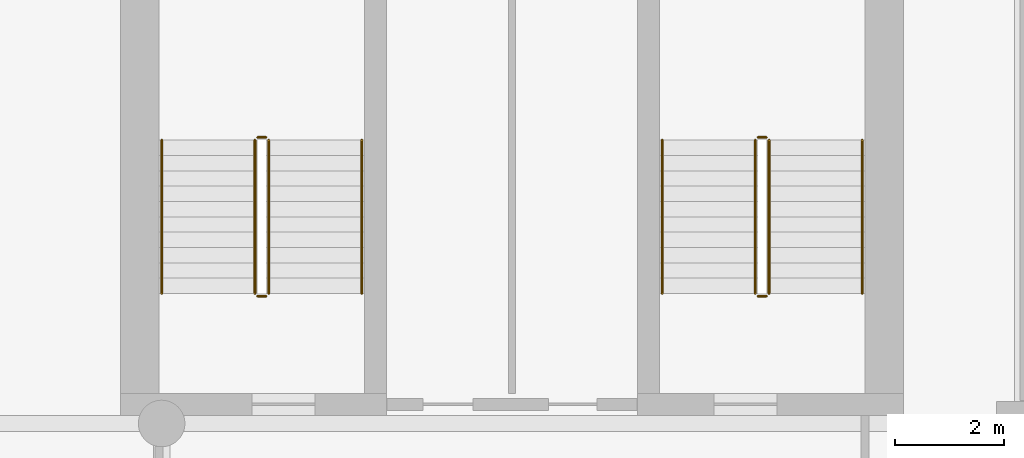
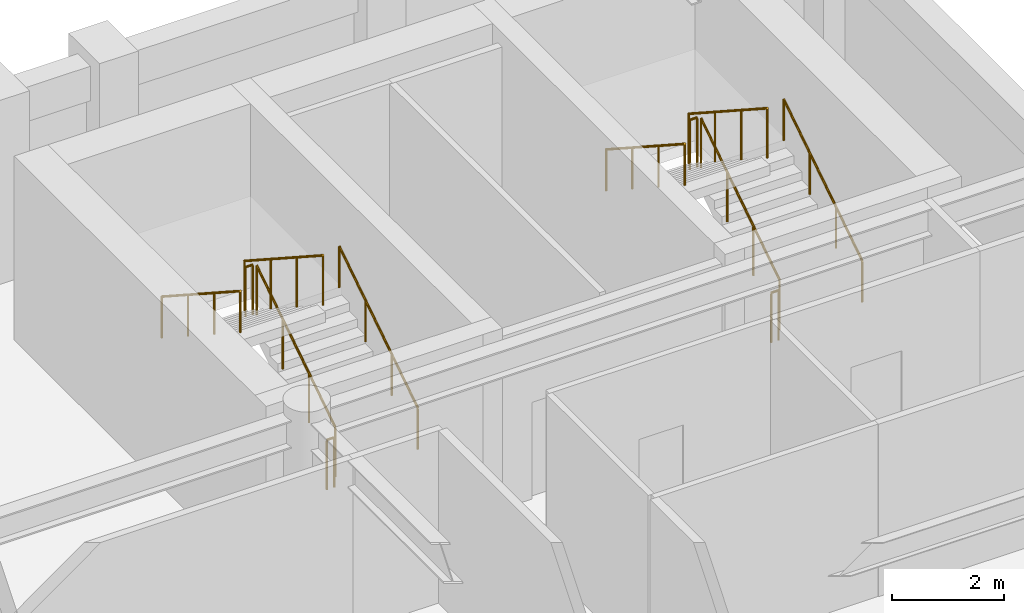
# One storey, part 10 of 10: 12 railings.
"""IFC4 building model written with IfcOpenShell, lengths in metres."""

from ifc_helpers import new_model, si_unit, direction, frame, origin, origin_2d, place, context, subcontext, project, spatial, circle, extrude, material, type_object, element, save


model = new_model("IFC4")

# Units and contexts
model_context = context("Model", 3, precision=1e-05, world=origin(), true_north=direction((0.0, 1.0)))
body_context = subcontext(model_context, "Body", "Model", "MODEL_VIEW")
ifc_project = project(units=[si_unit("LENGTHUNIT", "METRE"), si_unit("AREAUNIT", "SQUARE_METRE"), si_unit("VOLUMEUNIT", "CUBIC_METRE"), si_unit("PLANEANGLEUNIT", "RADIAN"), si_unit("MASSUNIT", "GRAM", prefix="KILO")], contexts=[model_context])

# Site, building, storey
site_placement = place(None, origin())
site = spatial("IfcSite", under=ifc_project, at=site_placement, CompositionType="ELEMENT")
building_placement = place(site_placement, origin())
building = spatial("IfcBuilding", under=site, at=building_placement, Name="Sulina Concourse Tower", CompositionType="ELEMENT")
storey_placement = place(building_placement, frame((0.0, 0.0, 190.60009765625)))
storey = spatial("IfcBuildingStorey", under=building, at=storey_placement, Name="L46", CompositionType="ELEMENT", Elevation=190.60009765625)

# Railings
ifc_material_1 = material(Name="Galvanised steel railing", Category="steel")
railing_type_1 = type_object("IfcRailingType", Name="Core Stair Steel Guardrail 1150mm", PredefinedType="GUARDRAIL", material=ifc_material_1)
railing_1_placement = place(storey_placement, frame((43.554931640625, 36.375, 0.181640625)))
element("IfcRailing", 1, at=railing_1_placement, inside=storey, type_object=railing_type_1, Name="L46 ST-3 stair guard 1", PredefinedType="GUARDRAIL", context=body_context, shape_type="SweptSolid", body=[
    extrude(circle(Radius=0.02392578125, at=origin_2d()), frame((0.0, 0.0, 1.076171875), z_axis=(0.0, 0.838672427954, 0.544636170843), x_axis=(-1.0, 0.0, 0.0)), (0.0, 0.0, 1.0), 3.338623046875),
    extrude(circle(Radius=0.02099609375, at=origin_2d()), origin(), (0.0, 0.0, 1.0), 1.052001953125),
    extrude(circle(Radius=0.02099609375, at=origin_2d()), frame((0.0, 0.933349609375, 0.606201171875)), (0.0, 0.0, 1.0), 1.052001953125),
    extrude(circle(Radius=0.02099609375, at=origin_2d()), frame((0.0, 1.86669921875, 1.212158203125)), (0.0, 0.0, 1.0), 1.052001953125),
    extrude(circle(Radius=0.02099609375, at=origin_2d()), frame((0.0, 2.800048828125, 1.818359375)), (0.0, 0.0, 1.0), 1.052001953125),
])
railing_2_placement = place(storey_placement, frame((43.5048828125, 39.22509765625, 2.0)))
element("IfcRailing", 2, at=railing_2_placement, inside=storey, type_object=railing_type_1, Name="L46 ST-3 stair guard 2", PredefinedType="GUARDRAIL", context=body_context, shape_type="SweptSolid", body=[
    extrude(circle(Radius=0.02392578125, at=origin_2d()), frame((0.0, 0.0, 1.076171875), z_axis=(-1.0, 0.0, 0.0), x_axis=(0.0, -1.0, 0.0)), (0.0, 0.0, 1.0), 0.14990234375),
    extrude(circle(Radius=0.02099609375, at=origin_2d()), origin(), (0.0, 0.0, 1.0), 1.052001953125),
    extrude(circle(Radius=0.02099609375, at=origin_2d()), frame((-0.14990234375, 0.0, 0.0)), (0.0, 0.0, 1.0), 1.052001953125),
])
railing_3_placement = place(storey_placement, frame((43.304931640625, 39.175048828125, 2.181640625)))
element("IfcRailing", 3, at=railing_3_placement, inside=storey, type_object=railing_type_1, Name="L46 ST-3 stair guard 3", PredefinedType="GUARDRAIL", context=body_context, shape_type="SweptSolid", body=[
    extrude(circle(Radius=0.02392578125, at=origin_2d()), frame((0.0, 0.0, 1.076171875), z_axis=(0.0, -0.838672427954, 0.544636170843), x_axis=(1.0, 0.0, 0.0)), (0.0, 0.0, 1.0), 3.338623046875),
    extrude(circle(Radius=0.02099609375, at=origin_2d()), origin(), (0.0, 0.0, 1.0), 1.052001953125),
    extrude(circle(Radius=0.02099609375, at=origin_2d()), frame((0.0, -0.933349609375, 0.606201171875)), (0.0, 0.0, 1.0), 1.052001953125),
    extrude(circle(Radius=0.02099609375, at=origin_2d()), frame((0.0, -1.86669921875, 1.212158203125)), (0.0, 0.0, 1.0), 1.052001953125),
    extrude(circle(Radius=0.02099609375, at=origin_2d()), frame((0.0, -2.800048828125, 1.818359375)), (0.0, 0.0, 1.0), 1.052001953125),
])
railing_4_placement = place(storey_placement, frame((43.5048828125, 36.324951171875, 0.0)))
element("IfcRailing", 4, at=railing_4_placement, inside=storey, type_object=railing_type_1, Name="L46 ST-3 stair guard 4", PredefinedType="GUARDRAIL", context=body_context, shape_type="SweptSolid", body=[
    extrude(circle(Radius=0.02392578125, at=origin_2d()), frame((0.0, 0.0, 1.076171875), z_axis=(-1.0, 0.0, 0.0), x_axis=(0.0, -1.0, 0.0)), (0.0, 0.0, 1.0), 0.14990234375),
    extrude(circle(Radius=0.02099609375, at=origin_2d()), origin(), (0.0, 0.0, 1.0), 1.052001953125),
    extrude(circle(Radius=0.02099609375, at=origin_2d()), frame((-0.14990234375, 0.0, 0.0)), (0.0, 0.0, 1.0), 1.052001953125),
])
railing_5_placement = place(storey_placement, frame((52.695068359375, 36.375, 0.181640625)))
element("IfcRailing", 5, at=railing_5_placement, inside=storey, type_object=railing_type_1, Name="L46 ST-4 stair guard 1", PredefinedType="GUARDRAIL", context=body_context, shape_type="SweptSolid", body=[
    extrude(circle(Radius=0.02392578125, at=origin_2d()), frame((0.0, 0.0, 1.076171875), z_axis=(0.0, 0.838672427954, 0.544636170843), x_axis=(-1.0, 0.0, 0.0)), (0.0, 0.0, 1.0), 3.338623046875),
    extrude(circle(Radius=0.02099609375, at=origin_2d()), origin(), (0.0, 0.0, 1.0), 1.052001953125),
    extrude(circle(Radius=0.02099609375, at=origin_2d()), frame((0.0, 0.933349609375, 0.606201171875)), (0.0, 0.0, 1.0), 1.052001953125),
    extrude(circle(Radius=0.02099609375, at=origin_2d()), frame((0.0, 1.86669921875, 1.212158203125)), (0.0, 0.0, 1.0), 1.052001953125),
    extrude(circle(Radius=0.02099609375, at=origin_2d()), frame((0.0, 2.800048828125, 1.818359375)), (0.0, 0.0, 1.0), 1.052001953125),
])
railing_6_placement = place(storey_placement, frame((52.64501953125, 39.22509765625, 2.0)))
element("IfcRailing", 6, at=railing_6_placement, inside=storey, type_object=railing_type_1, Name="L46 ST-4 stair guard 2", PredefinedType="GUARDRAIL", context=body_context, shape_type="SweptSolid", body=[
    extrude(circle(Radius=0.02392578125, at=origin_2d()), frame((0.0, 0.0, 1.076171875), z_axis=(-1.0, 0.0, 0.0), x_axis=(0.0, -1.0, 0.0)), (0.0, 0.0, 1.0), 0.14990234375),
    extrude(circle(Radius=0.02099609375, at=origin_2d()), origin(), (0.0, 0.0, 1.0), 1.052001953125),
    extrude(circle(Radius=0.02099609375, at=origin_2d()), frame((-0.14990234375, 0.0, 0.0)), (0.0, 0.0, 1.0), 1.052001953125),
])
railing_7_placement = place(storey_placement, frame((52.445068359375, 39.175048828125, 2.181640625)))
element("IfcRailing", 7, at=railing_7_placement, inside=storey, type_object=railing_type_1, Name="L46 ST-4 stair guard 3", PredefinedType="GUARDRAIL", context=body_context, shape_type="SweptSolid", body=[
    extrude(circle(Radius=0.02392578125, at=origin_2d()), frame((0.0, 0.0, 1.076171875), z_axis=(0.0, -0.838672427954, 0.544636170843), x_axis=(1.0, 0.0, 0.0)), (0.0, 0.0, 1.0), 3.338623046875),
    extrude(circle(Radius=0.02099609375, at=origin_2d()), origin(), (0.0, 0.0, 1.0), 1.052001953125),
    extrude(circle(Radius=0.02099609375, at=origin_2d()), frame((0.0, -0.933349609375, 0.606201171875)), (0.0, 0.0, 1.0), 1.052001953125),
    extrude(circle(Radius=0.02099609375, at=origin_2d()), frame((0.0, -1.86669921875, 1.212158203125)), (0.0, 0.0, 1.0), 1.052001953125),
    extrude(circle(Radius=0.02099609375, at=origin_2d()), frame((0.0, -2.800048828125, 1.818359375)), (0.0, 0.0, 1.0), 1.052001953125),
])
railing_8_placement = place(storey_placement, frame((52.64501953125, 36.324951171875, 0.0)))
element("IfcRailing", 8, at=railing_8_placement, inside=storey, type_object=railing_type_1, Name="L46 ST-4 stair guard 4", PredefinedType="GUARDRAIL", context=body_context, shape_type="SweptSolid", body=[
    extrude(circle(Radius=0.02392578125, at=origin_2d()), frame((0.0, 0.0, 1.076171875), z_axis=(-1.0, 0.0, 0.0), x_axis=(0.0, -1.0, 0.0)), (0.0, 0.0, 1.0), 0.14990234375),
    extrude(circle(Radius=0.02099609375, at=origin_2d()), origin(), (0.0, 0.0, 1.0), 1.052001953125),
    extrude(circle(Radius=0.02099609375, at=origin_2d()), frame((-0.14990234375, 0.0, 0.0)), (0.0, 0.0, 1.0), 1.052001953125),
])
ifc_material_2 = material(Name="Galvanised steel railing", Category="steel")
railing_type_2 = type_object("IfcRailingType", Name="Stair Wall Steel Handrail 920mm", PredefinedType="HANDRAIL", material=ifc_material_2)
railing_9_placement = place(storey_placement, frame((45.2548828125, 36.375, 0.181640625)))
element("IfcRailing", 9, at=railing_9_placement, inside=storey, type_object=railing_type_2, Name="L46 ST-3 stair handrail 1", PredefinedType="HANDRAIL", context=body_context, shape_type="SweptSolid", body=[
    extrude(circle(Radius=0.02392578125, at=origin_2d()), frame((0.0, 0.0, 0.89599609375), z_axis=(0.0, 0.838672427954, 0.544636170843), x_axis=(-1.0, 0.0, 0.0)), (0.0, 0.0, 1.0), 3.338623046875),
    extrude(circle(Radius=0.02099609375, at=origin_2d()), origin(), (0.0, 0.0, 1.0), 0.871826171875),
    extrude(circle(Radius=0.02099609375, at=origin_2d()), frame((0.0, 0.933349609375, 0.606201171875)), (0.0, 0.0, 1.0), 0.871826171875),
    extrude(circle(Radius=0.02099609375, at=origin_2d()), frame((0.0, 1.86669921875, 1.212158203125)), (0.0, 0.0, 1.0), 0.871826171875),
    extrude(circle(Radius=0.02099609375, at=origin_2d()), frame((0.0, 2.800048828125, 1.818359375)), (0.0, 0.0, 1.0), 0.871826171875),
])
railing_10_placement = place(storey_placement, frame((41.60498046875, 39.175048828125, 2.181640625)))
element("IfcRailing", 10, at=railing_10_placement, inside=storey, type_object=railing_type_2, Name="L46 ST-3 stair handrail 2", PredefinedType="HANDRAIL", context=body_context, shape_type="SweptSolid", body=[
    extrude(circle(Radius=0.02392578125, at=origin_2d()), frame((0.0, 0.0, 0.89599609375), z_axis=(0.0, -0.838672427954, 0.544636170843), x_axis=(1.0, 0.0, 0.0)), (0.0, 0.0, 1.0), 3.338623046875),
    extrude(circle(Radius=0.02099609375, at=origin_2d()), origin(), (0.0, 0.0, 1.0), 0.871826171875),
    extrude(circle(Radius=0.02099609375, at=origin_2d()), frame((0.0, -0.933349609375, 0.606201171875)), (0.0, 0.0, 1.0), 0.871826171875),
    extrude(circle(Radius=0.02099609375, at=origin_2d()), frame((0.0, -1.86669921875, 1.212158203125)), (0.0, 0.0, 1.0), 0.871826171875),
    extrude(circle(Radius=0.02099609375, at=origin_2d()), frame((0.0, -2.800048828125, 1.818359375)), (0.0, 0.0, 1.0), 0.871826171875),
])
railing_11_placement = place(storey_placement, frame((54.39501953125, 36.375, 0.181640625)))
element("IfcRailing", 11, at=railing_11_placement, inside=storey, type_object=railing_type_2, Name="L46 ST-4 stair handrail 1", PredefinedType="HANDRAIL", context=body_context, shape_type="SweptSolid", body=[
    extrude(circle(Radius=0.02392578125, at=origin_2d()), frame((0.0, 0.0, 0.89599609375), z_axis=(0.0, 0.838672427954, 0.544636170843), x_axis=(-1.0, 0.0, 0.0)), (0.0, 0.0, 1.0), 3.338623046875),
    extrude(circle(Radius=0.02099609375, at=origin_2d()), origin(), (0.0, 0.0, 1.0), 0.871826171875),
    extrude(circle(Radius=0.02099609375, at=origin_2d()), frame((0.0, 0.933349609375, 0.606201171875)), (0.0, 0.0, 1.0), 0.871826171875),
    extrude(circle(Radius=0.02099609375, at=origin_2d()), frame((0.0, 1.86669921875, 1.212158203125)), (0.0, 0.0, 1.0), 0.871826171875),
    extrude(circle(Radius=0.02099609375, at=origin_2d()), frame((0.0, 2.800048828125, 1.818359375)), (0.0, 0.0, 1.0), 0.871826171875),
])
railing_12_placement = place(storey_placement, frame((50.7451171875, 39.175048828125, 2.181640625)))
element("IfcRailing", 12, at=railing_12_placement, inside=storey, type_object=railing_type_2, Name="L46 ST-4 stair handrail 2", PredefinedType="HANDRAIL", context=body_context, shape_type="SweptSolid", body=[
    extrude(circle(Radius=0.02392578125, at=origin_2d()), frame((0.0, 0.0, 0.89599609375), z_axis=(0.0, -0.838672427954, 0.544636170843), x_axis=(1.0, 0.0, 0.0)), (0.0, 0.0, 1.0), 3.338623046875),
    extrude(circle(Radius=0.02099609375, at=origin_2d()), origin(), (0.0, 0.0, 1.0), 0.871826171875),
    extrude(circle(Radius=0.02099609375, at=origin_2d()), frame((0.0, -0.933349609375, 0.606201171875)), (0.0, 0.0, 1.0), 0.871826171875),
    extrude(circle(Radius=0.02099609375, at=origin_2d()), frame((0.0, -1.86669921875, 1.212158203125)), (0.0, 0.0, 1.0), 0.871826171875),
    extrude(circle(Radius=0.02099609375, at=origin_2d()), frame((0.0, -2.800048828125, 1.818359375)), (0.0, 0.0, 1.0), 0.871826171875),
])

save(model, "model.ifc")
